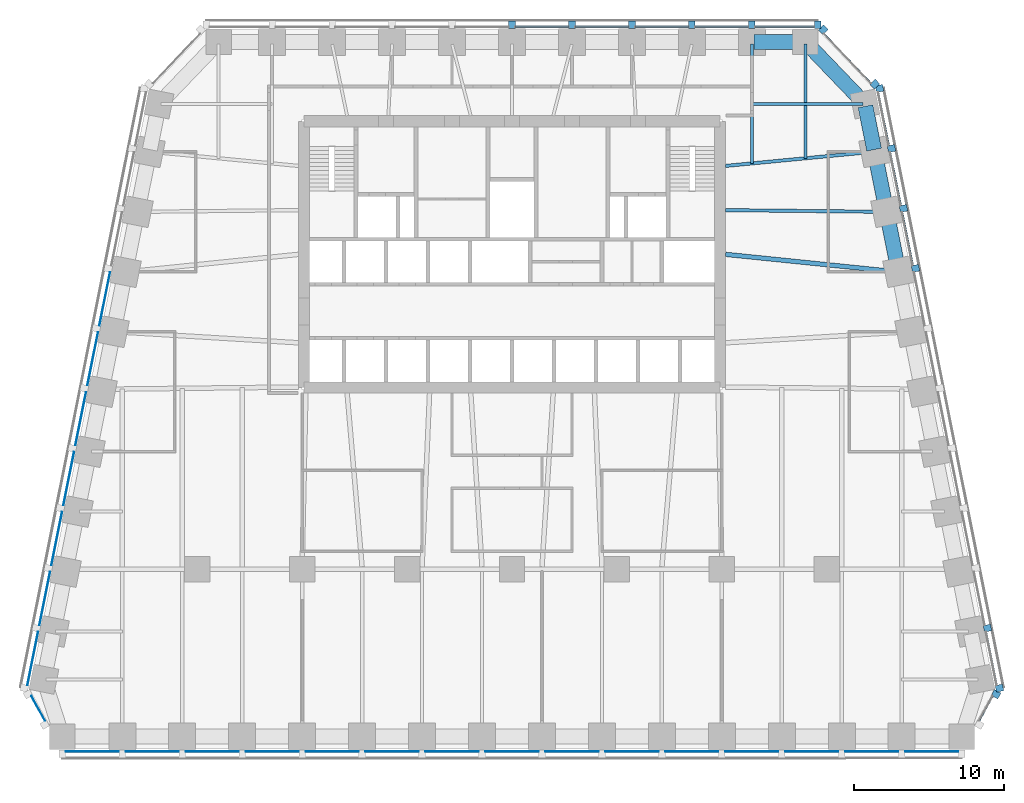
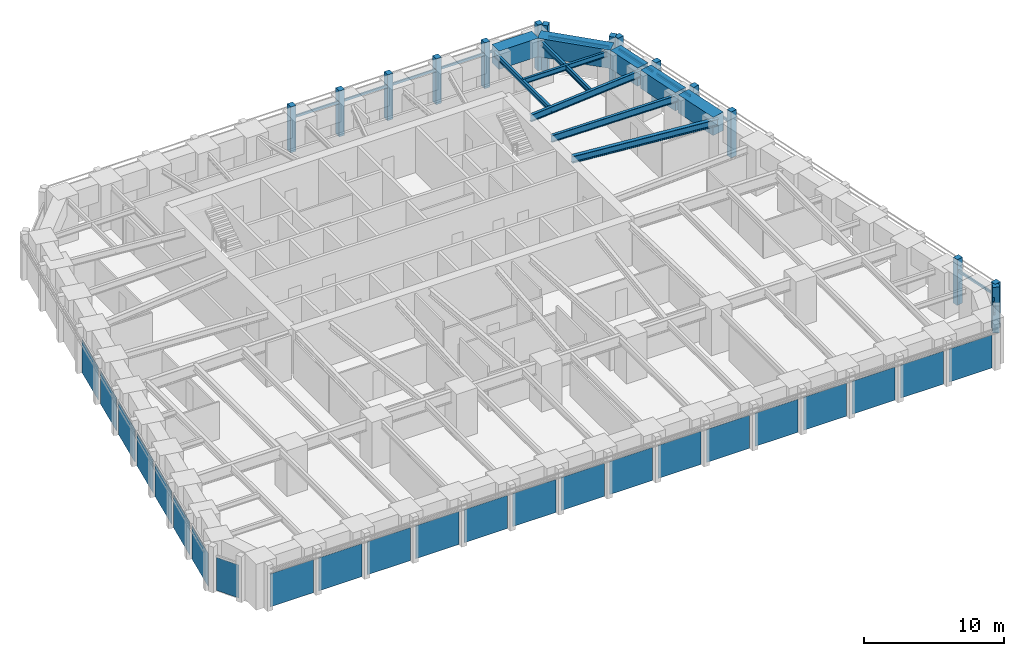
# One storey, part 4 of 10: 26 members, 23 plates, 11 beams, 7 elements without a shape of their own.
"""IFC4 building model written with IfcOpenShell, lengths in metres."""

from ifc_helpers import new_model, si_unit, direction, frame, origin, origin_2d, place, context, subcontext, project, spatial, rectangle, i_section, extrude, material, layer, layer_set, material_profile, profile_set, type_object, element, aggregate, save


model = new_model("IFC4")

# Units and contexts
model_context = context("Model", 3, precision=1e-05, world=origin(), true_north=direction((0.0, 1.0)))
body_context = subcontext(model_context, "Body", "Model", "MODEL_VIEW")
ifc_project = project(units=[si_unit("LENGTHUNIT", "METRE"), si_unit("AREAUNIT", "SQUARE_METRE"), si_unit("VOLUMEUNIT", "CUBIC_METRE"), si_unit("PLANEANGLEUNIT", "RADIAN"), si_unit("MASSUNIT", "GRAM", prefix="KILO")], contexts=[model_context])

# Site, building, storey
site_placement = place(None, origin())
site = spatial("IfcSite", under=ifc_project, at=site_placement, CompositionType="ELEMENT")
building_placement = place(site_placement, origin())
building = spatial("IfcBuilding", under=site, at=building_placement, Name="Isbrekke Arena Tower", CompositionType="ELEMENT")
storey_placement = place(building_placement, frame((0.0, 0.0, 139.0)))
storey = spatial("IfcBuildingStorey", under=building, at=storey_placement, Name="L31", CompositionType="ELEMENT", Elevation=139.0)

# Beams
ifc_material_1 = material(Name="Steel S355", Category="steel")
ifc_material_profile_1 = material_profile(ifc_material_1, i_section(OverallWidth=0.219970703125, OverallDepth=0.60009765625, WebThickness=0.011962890625, FlangeThickness=0.01904296875, FilletRadius=0.02392578125, at=origin_2d()), Name="IPE 600")
ifc_profile_set_1 = profile_set([ifc_material_profile_1], Name="Steel S355")
beam_type_1 = type_object("IfcBeamType", Name="B1 IPE 600", PredefinedType="BEAM", material=ifc_profile_set_1)
beam_1_placement = place(storey_placement, frame((24.83984375, 17.838134765625, 3.550048828125), z_axis=(-0.999944260169, 0.010558245831, 0.0), x_axis=(-0.010558245831, -0.999944260169, 0.0)))
element("IfcBeam", 1, at=beam_1_placement, inside=storey, type_object=beam_type_1, Name="B1 beam E-E09 L31", PredefinedType="BEAM", context=body_context, shape_type="SweptSolid", body=[
    extrude(i_section(OverallWidth=0.219970703125, OverallDepth=0.60009765625, WebThickness=0.011962890625, FlangeThickness=0.01904296875, FilletRadius=0.02392578125, at=origin_2d()), origin(), (0.0, 0.0, 1.0), 10.59033203125),
])
beam_2_placement = place(storey_placement, frame((24.030517578125, 21.837158203125, 3.550048828125), z_axis=(-0.995439798606, -0.095391862082, 0.0), x_axis=(0.095391862082, -0.995439798606, 0.0)))
element("IfcBeam", 2, at=beam_2_placement, inside=storey, type_object=beam_type_1, Name="B1 beam E-E10 L31", PredefinedType="BEAM", context=body_context, shape_type="SweptSolid", body=[
    extrude(i_section(OverallWidth=0.219970703125, OverallDepth=0.60009765625, WebThickness=0.011962890625, FlangeThickness=0.01904296875, FilletRadius=0.02392578125, at=origin_2d()), origin(), (0.0, 0.0, 1.0), 9.825439453125),
])
ifc_material_2 = material(Name="Steel S355", Category="steel")
ifc_material_profile_2 = material_profile(ifc_material_2, i_section(OverallWidth=0.18994140625, OverallDepth=0.449951171875, WebThickness=0.009521484375, FlangeThickness=0.0146484375, FilletRadius=0.02099609375, at=origin_2d()), Name="IPE 450")
ifc_profile_set_2 = profile_set([ifc_material_profile_2], Name="Steel S355")
beam_type_2 = type_object("IfcBeamType", Name="B2 IPE 450", PredefinedType="BEAM", material=ifc_profile_set_2)
beam_3_placement = place(storey_placement, frame((23.40283203125, 25.029296875, 3.625), z_axis=(-1.0, 0.0, 0.0), x_axis=(0.0, -1.0, 0.0)))
element("IfcBeam", 3, at=beam_3_placement, inside=storey, type_object=beam_type_2, Name="B2 beam E-E11 L31", PredefinedType="BEAM", context=body_context, shape_type="SweptSolid", body=[
    extrude(i_section(OverallWidth=0.18994140625, OverallDepth=0.449951171875, WebThickness=0.009521484375, FlangeThickness=0.0146484375, FilletRadius=0.02099609375, at=origin_2d()), origin(), (0.0, 0.0, 1.0), 7.40283203125),
])
ifc_material_3 = material(Name="Steel S355", Category="steel")
ifc_material_profile_3 = material_profile(ifc_material_3, i_section(OverallWidth=0.18994140625, OverallDepth=0.449951171875, WebThickness=0.009521484375, FlangeThickness=0.0146484375, FilletRadius=0.02099609375, at=origin_2d()), Name="IPE 450")
ifc_profile_set_3 = profile_set([ifc_material_profile_3], Name="Steel S355")
beam_type_3 = type_object("IfcBeamType", Name="B3 IPE 450", PredefinedType="BEAM", material=ifc_profile_set_3)
beam_4_placement = place(storey_placement, frame((19.574951171875, 29.02490234375, 3.625), z_axis=(0.0, -1.0, 0.0), x_axis=(1.0, 0.0, 0.0)))
element("IfcBeam", 4, at=beam_4_placement, inside=storey, type_object=beam_type_3, Name="B3 beam N-N01 L31", PredefinedType="BEAM", context=body_context, shape_type="SweptSolid", body=[
    extrude(i_section(OverallWidth=0.18994140625, OverallDepth=0.449951171875, WebThickness=0.009521484375, FlangeThickness=0.0146484375, FilletRadius=0.02099609375, at=origin_2d()), origin(), (0.0, 0.0, 1.0), 7.61474609375),
])
beam_5_placement = place(storey_placement, frame((16.0, 29.02490234375, 3.625), z_axis=(0.0, -1.0, 0.0), x_axis=(1.0, 0.0, 0.0)))
element("IfcBeam", 5, at=beam_5_placement, inside=storey, type_object=beam_type_3, Name="B3 beam N-N02 L31", PredefinedType="BEAM", context=body_context, shape_type="SweptSolid", body=[
    extrude(i_section(OverallWidth=0.18994140625, OverallDepth=0.449951171875, WebThickness=0.009521484375, FlangeThickness=0.0146484375, FilletRadius=0.02099609375, at=origin_2d()), origin(), (0.0, 0.0, 1.0), 7.957275390625),
])
ifc_material_4 = material(Name="Steel S355", Category="steel")
ifc_material_profile_4 = material_profile(ifc_material_4, i_section(OverallWidth=0.300048828125, OverallDepth=0.60009765625, WebThickness=0.015380859375, FlangeThickness=0.030029296875, FilletRadius=0.027099609375, at=origin_2d()), Name="HEB 600")
ifc_profile_set_4 = profile_set([ifc_material_profile_4], Name="Steel S355")
beam_type_4 = type_object("IfcBeamType", Name="B7 HEB 600", PredefinedType="BEAM", material=ifc_profile_set_4)
beam_6_placement = place(storey_placement, frame((25.6259765625, 13.83984375, 3.550048828125), z_axis=(-0.994839949319, 0.10145676537, 0.0), x_axis=(-0.10145676537, -0.994839949319, 0.0)))
element("IfcBeam", 6, at=beam_6_placement, inside=storey, type_object=beam_type_4, Name="B7 beam E-E08 L31", PredefinedType="BEAM", context=body_context, shape_type="SweptSolid", body=[
    extrude(i_section(OverallWidth=0.300048828125, OverallDepth=0.60009765625, WebThickness=0.015380859375, FlangeThickness=0.030029296875, FilletRadius=0.027099609375, at=origin_2d()), origin(), (0.0, 0.0, 1.0), 11.43505859375),
])

# Curtain wall, member
ifc_material_5 = material(Name="Glazed aluminium curtain wall", Category="aluminium")
curtain_wall_type = type_object("IfcCurtainWallType", Name="CWM TOWER CURTAIN WALL MID ZONE", PredefinedType="USERDEFINED", material=ifc_material_5)
curtain_wall_1_placement = place(storey_placement, origin())
curtain_wall_1 = element("IfcCurtainWall", 7, at=curtain_wall_1_placement, inside=storey, type_object=curtain_wall_type, Name="CWM curtain wall L31-SE", ObjectType="TOWER CURTAIN WALL MID ZONE", PredefinedType="USERDEFINED")
ifc_material_6 = material(Name="Aluminium mullion, pale brick slip cladding", Category="masonry")
ifc_material_profile_5 = material_profile(ifc_material_6, rectangle(XDim=0.449951171875, YDim=0.5, at=origin_2d()), Name="PIER 450X500")
ifc_profile_set_5 = profile_set([ifc_material_profile_5], Name="Aluminium mullion, pale brick slip cladding")
member_type_1 = type_object("IfcMemberType", Name="CWM-M PIER MULLION 450 x 500", PredefinedType="MULLION", material=ifc_profile_set_5)
member_1_placement = place(storey_placement, frame((32.296142578125, -14.34375, 0.0), z_axis=(0.0, 0.0, 1.0), x_axis=(0.481918749773, 0.876215908676, 0.0)))
member_1 = element("IfcMember", 8, at=member_1_placement, type_object=member_type_1, Name="CWM-M mullion 2", PredefinedType="MULLION", context=body_context, shape_type="SweptSolid", body=[
    extrude(rectangle(XDim=0.449951171875, YDim=0.5, at=origin_2d()), origin(), (0.0, 0.0, 1.0), 4.0),
])

# Curtain wall, members
curtain_wall_2_placement = place(storey_placement, origin())
curtain_wall_2 = element("IfcCurtainWall", 9, at=curtain_wall_2_placement, inside=storey, type_object=curtain_wall_type, Name="CWM curtain wall L31-E", ObjectType="TOWER CURTAIN WALL MID ZONE", PredefinedType="USERDEFINED")
member_2_placement = place(storey_placement, frame((32.518798828125, -13.936279296875, 0.0), z_axis=(0.0, 0.0, 1.0), x_axis=(-0.196116135138, 0.980580675691, 0.0)))
member_2 = element("IfcMember", 10, at=member_2_placement, type_object=member_type_1, Name="CWM-M mullion 1", PredefinedType="MULLION", context=body_context, shape_type="SweptSolid", body=[
    extrude(rectangle(XDim=0.449951171875, YDim=0.5, at=origin_2d()), origin(), (0.0, 0.0, 1.0), 4.0),
])
member_3_placement = place(storey_placement, frame((31.71875, -9.936279296875, 0.0), z_axis=(0.0, 0.0, 1.0), x_axis=(-0.196116135138, 0.980580675691, 0.0)))
member_3 = element("IfcMember", 11, at=member_3_placement, type_object=member_type_1, Name="CWM-M mullion 2", PredefinedType="MULLION", context=body_context, shape_type="SweptSolid", body=[
    extrude(rectangle(XDim=0.449951171875, YDim=0.5, at=origin_2d()), origin(), (0.0, 0.0, 1.0), 4.0),
])
member_4_placement = place(storey_placement, frame((26.918701171875, 14.063720703125, 0.0), z_axis=(0.0, 0.0, 1.0), x_axis=(-0.196116135138, 0.980580675691, 0.0)))
member_4 = element("IfcMember", 12, at=member_4_placement, type_object=member_type_1, Name="CWM-M mullion 8", PredefinedType="MULLION", context=body_context, shape_type="SweptSolid", body=[
    extrude(rectangle(XDim=0.449951171875, YDim=0.5, at=origin_2d()), origin(), (0.0, 0.0, 1.0), 4.0),
])
member_5_placement = place(storey_placement, frame((26.11865234375, 18.063720703125, 0.0), z_axis=(0.0, 0.0, 1.0), x_axis=(-0.196116135138, 0.980580675691, 0.0)))
member_5 = element("IfcMember", 13, at=member_5_placement, type_object=member_type_1, Name="CWM-M mullion 9", PredefinedType="MULLION", context=body_context, shape_type="SweptSolid", body=[
    extrude(rectangle(XDim=0.449951171875, YDim=0.5, at=origin_2d()), origin(), (0.0, 0.0, 1.0), 4.0),
])
member_6_placement = place(storey_placement, frame((25.318603515625, 22.063720703125, 0.0), z_axis=(0.0, 0.0, 1.0), x_axis=(-0.196116135138, 0.980580675691, 0.0)))
member_6 = element("IfcMember", 14, at=member_6_placement, type_object=member_type_1, Name="CWM-M mullion 10", PredefinedType="MULLION", context=body_context, shape_type="SweptSolid", body=[
    extrude(rectangle(XDim=0.449951171875, YDim=0.5, at=origin_2d()), origin(), (0.0, 0.0, 1.0), 4.0),
])
member_7_placement = place(storey_placement, frame((24.518798828125, 26.063720703125, 0.0), z_axis=(0.0, 0.0, 1.0), x_axis=(-0.196116135138, 0.980580675691, 0.0)))
member_7 = element("IfcMember", 15, at=member_7_placement, type_object=member_type_1, Name="CWM-M mullion 11", PredefinedType="MULLION", context=body_context, shape_type="SweptSolid", body=[
    extrude(rectangle(XDim=0.449951171875, YDim=0.5, at=origin_2d()), origin(), (0.0, 0.0, 1.0), 4.0),
])

curtain_wall_3_placement = place(storey_placement, origin())
curtain_wall_3 = element("IfcCurtainWall", 16, at=curtain_wall_3_placement, inside=storey, type_object=curtain_wall_type, Name="CWM curtain wall L31-EN", ObjectType="TOWER CURTAIN WALL MID ZONE", PredefinedType="USERDEFINED")
member_8_placement = place(storey_placement, frame((24.208251953125, 26.354248046875, 0.0), z_axis=(0.0, 0.0, 1.0), x_axis=(-0.68874946192, 0.72499943359, 0.0)))
member_8 = element("IfcMember", 17, at=member_8_placement, type_object=member_type_1, Name="CWM-M mullion 1", PredefinedType="MULLION", context=body_context, shape_type="SweptSolid", body=[
    extrude(rectangle(XDim=0.449951171875, YDim=0.5, at=origin_2d()), origin(), (0.0, 0.0, 1.0), 4.0),
])
member_9_placement = place(storey_placement, frame((20.7587890625, 29.9853515625, 0.0), z_axis=(0.0, 0.0, 1.0), x_axis=(-0.68874946192, 0.72499943359, 0.0)))
member_9 = element("IfcMember", 18, at=member_9_placement, type_object=member_type_1, Name="CWM-M mullion 2", PredefinedType="MULLION", context=body_context, shape_type="SweptSolid", body=[
    extrude(rectangle(XDim=0.449951171875, YDim=0.5, at=origin_2d()), origin(), (0.0, 0.0, 1.0), 4.0),
])

curtain_wall_4_placement = place(storey_placement, origin())
curtain_wall_4 = element("IfcCurtainWall", 19, at=curtain_wall_4_placement, inside=storey, type_object=curtain_wall_type, Name="CWM curtain wall L31-N", ObjectType="TOWER CURTAIN WALL MID ZONE", PredefinedType="USERDEFINED")
member_10_placement = place(storey_placement, frame((20.39990234375, 30.324951171875, 0.0), z_axis=(0.0, 0.0, 1.0), x_axis=(-1.0, 0.0, 0.0)))
member_10 = element("IfcMember", 20, at=member_10_placement, type_object=member_type_1, Name="CWM-M mullion 1", PredefinedType="MULLION", context=body_context, shape_type="SweptSolid", body=[
    extrude(rectangle(XDim=0.449951171875, YDim=0.5, at=origin_2d()), origin(), (0.0, 0.0, 1.0), 4.0),
])
member_11_placement = place(storey_placement, frame((16.0, 30.324951171875, 0.0), z_axis=(0.0, 0.0, 1.0), x_axis=(-1.0, 0.0, 0.0)))
member_11 = element("IfcMember", 21, at=member_11_placement, type_object=member_type_1, Name="CWM-M mullion 2", PredefinedType="MULLION", context=body_context, shape_type="SweptSolid", body=[
    extrude(rectangle(XDim=0.449951171875, YDim=0.5, at=origin_2d()), origin(), (0.0, 0.0, 1.0), 4.0),
])
member_12_placement = place(storey_placement, frame((12.0, 30.324951171875, 0.0), z_axis=(0.0, 0.0, 1.0), x_axis=(-1.0, 0.0, 0.0)))
member_12 = element("IfcMember", 22, at=member_12_placement, type_object=member_type_1, Name="CWM-M mullion 3", PredefinedType="MULLION", context=body_context, shape_type="SweptSolid", body=[
    extrude(rectangle(XDim=0.449951171875, YDim=0.5, at=origin_2d()), origin(), (0.0, 0.0, 1.0), 4.0),
])
member_13_placement = place(storey_placement, frame((8.0, 30.324951171875, 0.0), z_axis=(0.0, 0.0, 1.0), x_axis=(-1.0, 0.0, 0.0)))
member_13 = element("IfcMember", 23, at=member_13_placement, type_object=member_type_1, Name="CWM-M mullion 4", PredefinedType="MULLION", context=body_context, shape_type="SweptSolid", body=[
    extrude(rectangle(XDim=0.449951171875, YDim=0.5, at=origin_2d()), origin(), (0.0, 0.0, 1.0), 4.0),
])
member_14_placement = place(storey_placement, frame((4.0, 30.324951171875, 0.0), z_axis=(0.0, 0.0, 1.0), x_axis=(-1.0, 0.0, 0.0)))
member_14 = element("IfcMember", 24, at=member_14_placement, type_object=member_type_1, Name="CWM-M mullion 5", PredefinedType="MULLION", context=body_context, shape_type="SweptSolid", body=[
    extrude(rectangle(XDim=0.449951171875, YDim=0.5, at=origin_2d()), origin(), (0.0, 0.0, 1.0), 4.0),
])
member_15_placement = place(storey_placement, frame((0.0, 30.324951171875, 0.0), z_axis=(0.0, 0.0, 1.0), x_axis=(-1.0, 0.0, 0.0)))
member_15 = element("IfcMember", 25, at=member_15_placement, type_object=member_type_1, Name="CWM-M mullion 6", PredefinedType="MULLION", context=body_context, shape_type="SweptSolid", body=[
    extrude(rectangle(XDim=0.449951171875, YDim=0.5, at=origin_2d()), origin(), (0.0, 0.0, 1.0), 4.0),
])

# Member
ifc_material_7 = material(Name="Aluminium transom", Category="aluminium")
ifc_material_profile_6 = material_profile(ifc_material_7, rectangle(XDim=0.1201171875, YDim=0.199951171875, at=origin_2d()), Name="TRANSOM 120X200")
ifc_profile_set_6 = profile_set([ifc_material_profile_6], Name="Aluminium transom")
member_type_2 = type_object("IfcMemberType", Name="CWM-T TRANSOM 120 x 200", PredefinedType="USERDEFINED", material=ifc_profile_set_6)
member_16_placement = place(storey_placement, frame((31.152099609375, -16.112548828125, 3.0), z_axis=(0.482003669577, 0.876169197424, 0.0), x_axis=(-0.876169197424, 0.482003669577, 0.0)))
member_16 = element("IfcMember", 26, at=member_16_placement, type_object=member_type_2, Name="CWM-T transom 1", ObjectType="TRANSOM", PredefinedType="USERDEFINED", context=body_context, shape_type="SweptSolid", body=[
    extrude(rectangle(XDim=0.1201171875, YDim=0.199951171875, at=origin_2d()), origin(), (0.0, 0.0, 1.0), 1.876220703125),
])

aggregate(curtain_wall_1, [member_1, member_16])

member_17_placement = place(storey_placement, frame((32.327392578125, -13.7451171875, 3.0), z_axis=(-0.196090262229, 0.980585849918, 0.0), x_axis=(-0.980585849918, -0.196090262229, 0.0)))
member_17 = element("IfcMember", 27, at=member_17_placement, type_object=member_type_2, Name="CWM-T transom 1", ObjectType="TRANSOM", PredefinedType="USERDEFINED", context=body_context, shape_type="SweptSolid", body=[
    extrude(rectangle(XDim=0.1201171875, YDim=0.199951171875, at=origin_2d()), origin(), (0.0, 0.0, 1.0), 3.62939453125),
])

member_18_placement = place(storey_placement, frame((26.7275390625, 14.2548828125, 3.0), z_axis=(-0.196154943734, 0.980572913173, 0.0), x_axis=(-0.980572913173, -0.196154943734, 0.0)))
member_18 = element("IfcMember", 28, at=member_18_placement, type_object=member_type_2, Name="CWM-T transom 8", ObjectType="TRANSOM", PredefinedType="USERDEFINED", context=body_context, shape_type="SweptSolid", body=[
    extrude(rectangle(XDim=0.1201171875, YDim=0.199951171875, at=origin_2d()), origin(), (0.0, 0.0, 1.0), 3.62939453125),
])

member_19_placement = place(storey_placement, frame((25.927490234375, 18.2548828125, 3.0), z_axis=(-0.196090262229, 0.980585849918, 0.0), x_axis=(-0.980585849918, -0.196090262229, 0.0)))
member_19 = element("IfcMember", 29, at=member_19_placement, type_object=member_type_2, Name="CWM-T transom 9", ObjectType="TRANSOM", PredefinedType="USERDEFINED", context=body_context, shape_type="SweptSolid", body=[
    extrude(rectangle(XDim=0.1201171875, YDim=0.199951171875, at=origin_2d()), origin(), (0.0, 0.0, 1.0), 3.62939453125),
])

member_20_placement = place(storey_placement, frame((25.12744140625, 22.2548828125, 3.0), z_axis=(-0.196090262229, 0.980585849918, 0.0), x_axis=(-0.980585849918, -0.196090262229, 0.0)))
member_20 = element("IfcMember", 30, at=member_20_placement, type_object=member_type_2, Name="CWM-T transom 10", ObjectType="TRANSOM", PredefinedType="USERDEFINED", context=body_context, shape_type="SweptSolid", body=[
    extrude(rectangle(XDim=0.1201171875, YDim=0.199951171875, at=origin_2d()), origin(), (0.0, 0.0, 1.0), 3.62939453125),
])

aggregate(curtain_wall_2, [member_2, member_3, member_4, member_5, member_6, member_7, member_17, member_18, member_19, member_20])

member_21_placement = place(storey_placement, frame((23.944580078125, 26.4140625, 3.0), z_axis=(-0.688771983213, 0.724978037696, 0.0), x_axis=(-0.724978037696, -0.688771983213, 0.0)))
member_21 = element("IfcMember", 31, at=member_21_placement, type_object=member_type_2, Name="CWM-T transom 1", ObjectType="TRANSOM", PredefinedType="USERDEFINED", context=body_context, shape_type="SweptSolid", body=[
    extrude(rectangle(XDim=0.1201171875, YDim=0.199951171875, at=origin_2d()), origin(), (0.0, 0.0, 1.0), 4.558349609375),
])

aggregate(curtain_wall_3, [member_8, member_9, member_21])

member_22_placement = place(storey_placement, frame((20.175048828125, 30.175048828125, 3.0), z_axis=(-1.0, 0.0, 0.0), x_axis=(0.0, -1.0, 0.0)))
member_22 = element("IfcMember", 32, at=member_22_placement, type_object=member_type_2, Name="CWM-T transom 1", ObjectType="TRANSOM", PredefinedType="USERDEFINED", context=body_context, shape_type="SweptSolid", body=[
    extrude(rectangle(XDim=0.1201171875, YDim=0.199951171875, at=origin_2d()), origin(), (0.0, 0.0, 1.0), 3.949951171875),
])

member_23_placement = place(storey_placement, frame((15.77490234375, 30.175048828125, 3.0), z_axis=(-1.0, 0.0, 0.0), x_axis=(0.0, -1.0, 0.0)))
member_23 = element("IfcMember", 33, at=member_23_placement, type_object=member_type_2, Name="CWM-T transom 2", ObjectType="TRANSOM", PredefinedType="USERDEFINED", context=body_context, shape_type="SweptSolid", body=[
    extrude(rectangle(XDim=0.1201171875, YDim=0.199951171875, at=origin_2d()), origin(), (0.0, 0.0, 1.0), 3.5498046875),
])

member_24_placement = place(storey_placement, frame((11.77490234375, 30.175048828125, 3.0), z_axis=(-1.0, 0.0, 0.0), x_axis=(0.0, -1.0, 0.0)))
member_24 = element("IfcMember", 34, at=member_24_placement, type_object=member_type_2, Name="CWM-T transom 3", ObjectType="TRANSOM", PredefinedType="USERDEFINED", context=body_context, shape_type="SweptSolid", body=[
    extrude(rectangle(XDim=0.1201171875, YDim=0.199951171875, at=origin_2d()), origin(), (0.0, 0.0, 1.0), 3.5498046875),
])

member_25_placement = place(storey_placement, frame((7.77490234375, 30.175048828125, 3.0), z_axis=(-1.0, 0.0, 0.0), x_axis=(0.0, -1.0, 0.0)))
member_25 = element("IfcMember", 35, at=member_25_placement, type_object=member_type_2, Name="CWM-T transom 4", ObjectType="TRANSOM", PredefinedType="USERDEFINED", context=body_context, shape_type="SweptSolid", body=[
    extrude(rectangle(XDim=0.1201171875, YDim=0.199951171875, at=origin_2d()), origin(), (0.0, 0.0, 1.0), 3.5498046875),
])

member_26_placement = place(storey_placement, frame((3.77490234375, 30.175048828125, 3.0), z_axis=(-1.0, 0.0, 0.0), x_axis=(0.0, -1.0, 0.0)))
member_26 = element("IfcMember", 36, at=member_26_placement, type_object=member_type_2, Name="CWM-T transom 5", ObjectType="TRANSOM", PredefinedType="USERDEFINED", context=body_context, shape_type="SweptSolid", body=[
    extrude(rectangle(XDim=0.1201171875, YDim=0.199951171875, at=origin_2d()), origin(), (0.0, 0.0, 1.0), 3.5498046875),
])

aggregate(curtain_wall_4, [member_10, member_11, member_12, member_13, member_14, member_15, member_22, member_23, member_24, member_25, member_26])

# Beams
ifc_material_8 = material(Name="Concrete B80 (C80/95)", Category="concrete")
ifc_material_profile_7 = material_profile(ifc_material_8, rectangle(XDim=1.0, YDim=1.60009765625, at=origin_2d()), Name="RC 1000x1600")
ifc_profile_set_7 = profile_set([ifc_material_profile_7], Name="Concrete B80 (C80/95)")
beam_type_5 = type_object("IfcBeamType", Name="SB2 RC 1000 x 1600", PredefinedType="SPANDREL", material=ifc_profile_set_7)
for number, where, z_axis, x_axis, name in (
    (37, (25.76171875, 13.9853515625, 3.199951171875), (-0.196128558387, 0.980578190959, 0.0), (-0.980578190959, -0.196128558387, 0.0), "SB2 spandrel E08-E09 L31"),
    (38, (24.961669921875, 17.9853515625, 3.199951171875), (-0.196128558387, 0.980578190959, 0.0), (-0.980578190959, -0.196128558387, 0.0), "SB2 spandrel E09-E10 L31"),
):
    element("IfcBeam", number, at=place(storey_placement, frame(where, z_axis=z_axis, x_axis=x_axis)), inside=storey, type_object=beam_type_5, Name=name, PredefinedType="SPANDREL", context=body_context, shape_type="SweptSolid", body=[
        extrude(rectangle(XDim=1.0, YDim=1.60009765625, at=origin_2d()), origin(), (0.0, 0.0, 1.0), 3.779296875),
    ])
beam_7_placement = place(storey_placement, frame((24.16162109375, 21.9853515625, 3.199951171875), z_axis=(-0.196116135138, 0.980580675691, 0.0), x_axis=(-0.980580675691, -0.196116135138, 0.0)))
element("IfcBeam", 39, at=beam_7_placement, inside=storey, type_object=beam_type_5, Name="SB2 spandrel E10-E11 L31", PredefinedType="SPANDREL", context=body_context, shape_type="SweptSolid", body=[
    extrude(rectangle(XDim=1.0, YDim=1.60009765625, at=origin_2d()), origin(), (0.0, 0.0, 1.0), 2.9541015625),
])
beam_8_placement = place(storey_placement, frame((23.448974609375, 25.137451171875, 3.199951171875), z_axis=(-0.692339547635, 0.721571861134, 0.0), x_axis=(-0.721571861134, -0.692339547635, 0.0)))
element("IfcBeam", 40, at=beam_8_placement, inside=storey, type_object=beam_type_5, Name="SB2 spandrel E11-N01 L31", PredefinedType="SPANDREL", context=body_context, shape_type="SweptSolid", body=[
    extrude(rectangle(XDim=1.0, YDim=1.60009765625, at=origin_2d()), origin(), (0.0, 0.0, 1.0), 5.4453125),
])
beam_9_placement = place(storey_placement, frame((19.425048828125, 29.175048828125, 3.199951171875), z_axis=(-1.0, 0.0, 0.0), x_axis=(0.0, -1.0, 0.0)))
element("IfcBeam", 41, at=beam_9_placement, inside=storey, type_object=beam_type_5, Name="SB2 spandrel N01-N02 L31", PredefinedType="SPANDREL", context=body_context, shape_type="SweptSolid", body=[
    extrude(rectangle(XDim=1.0, YDim=1.60009765625, at=origin_2d()), origin(), (0.0, 0.0, 1.0), 3.275146484375),
])

# Curtain wall, plates
curtain_wall_5_placement = place(storey_placement, origin())
curtain_wall_5 = element("IfcCurtainWall", 42, at=curtain_wall_5_placement, inside=storey, type_object=curtain_wall_type, Name="CWM curtain wall L31-S", ObjectType="TOWER CURTAIN WALL MID ZONE", PredefinedType="USERDEFINED")
ifc_material_9 = material(Name="Triple-glazed clear glass unit", Category="glass")
ifc_layer = layer(ifc_material_9, 0.031982421875)
ifc_layer_set = layer_set([ifc_layer], Name="CWM-P VISION PANEL")
plate_type = type_object("IfcPlateType", Name="CWM-P VISION PANEL", PredefinedType="CURTAIN_PANEL", material=ifc_layer_set)
plate_1_placement = place(storey_placement, frame((-28.0, -18.175048828125, 0.02001953125), z_axis=(0.0, 0.0, 1.0), x_axis=(1.0, 0.0, 0.0)))
plate_1 = element("IfcPlate", 43, at=plate_1_placement, type_object=plate_type, Name="CWM-P panel 1", PredefinedType="CURTAIN_PANEL", context=body_context, shape_type="SweptSolid", body=[
    extrude(rectangle(XDim=3.550048828125, YDim=0.031982421875, at=origin_2d()), origin(), (0.0, 0.0, 1.0), 2.8798828125),
])
plate_2_placement = place(storey_placement, frame((-24.0, -18.175048828125, 0.02001953125), z_axis=(0.0, 0.0, 1.0), x_axis=(1.0, 0.0, 0.0)))
plate_2 = element("IfcPlate", 44, at=plate_2_placement, type_object=plate_type, Name="CWM-P panel 2", PredefinedType="CURTAIN_PANEL", context=body_context, shape_type="SweptSolid", body=[
    extrude(rectangle(XDim=3.550048828125, YDim=0.031982421875, at=origin_2d()), origin(), (0.0, 0.0, 1.0), 2.8798828125),
])
plate_3_placement = place(storey_placement, frame((-20.0, -18.175048828125, 0.02001953125), z_axis=(0.0, 0.0, 1.0), x_axis=(1.0, 0.0, 0.0)))
plate_3 = element("IfcPlate", 45, at=plate_3_placement, type_object=plate_type, Name="CWM-P panel 3", PredefinedType="CURTAIN_PANEL", context=body_context, shape_type="SweptSolid", body=[
    extrude(rectangle(XDim=3.550048828125, YDim=0.031982421875, at=origin_2d()), origin(), (0.0, 0.0, 1.0), 2.8798828125),
])
plate_4_placement = place(storey_placement, frame((-16.0, -18.175048828125, 0.02001953125), z_axis=(0.0, 0.0, 1.0), x_axis=(1.0, 0.0, 0.0)))
plate_4 = element("IfcPlate", 46, at=plate_4_placement, type_object=plate_type, Name="CWM-P panel 4", PredefinedType="CURTAIN_PANEL", context=body_context, shape_type="SweptSolid", body=[
    extrude(rectangle(XDim=3.550048828125, YDim=0.031982421875, at=origin_2d()), origin(), (0.0, 0.0, 1.0), 2.8798828125),
])
plate_5_placement = place(storey_placement, frame((-12.0, -18.175048828125, 0.02001953125), z_axis=(0.0, 0.0, 1.0), x_axis=(1.0, 0.0, 0.0)))
plate_5 = element("IfcPlate", 47, at=plate_5_placement, type_object=plate_type, Name="CWM-P panel 5", PredefinedType="CURTAIN_PANEL", context=body_context, shape_type="SweptSolid", body=[
    extrude(rectangle(XDim=3.550048828125, YDim=0.031982421875, at=origin_2d()), origin(), (0.0, 0.0, 1.0), 2.8798828125),
])
plate_6_placement = place(storey_placement, frame((-8.0, -18.175048828125, 0.02001953125), z_axis=(0.0, 0.0, 1.0), x_axis=(1.0, 0.0, 0.0)))
plate_6 = element("IfcPlate", 48, at=plate_6_placement, type_object=plate_type, Name="CWM-P panel 6", PredefinedType="CURTAIN_PANEL", context=body_context, shape_type="SweptSolid", body=[
    extrude(rectangle(XDim=3.550048828125, YDim=0.031982421875, at=origin_2d()), origin(), (0.0, 0.0, 1.0), 2.8798828125),
])
plate_7_placement = place(storey_placement, frame((-4.0, -18.175048828125, 0.02001953125), z_axis=(0.0, 0.0, 1.0), x_axis=(1.0, 0.0, 0.0)))
plate_7 = element("IfcPlate", 49, at=plate_7_placement, type_object=plate_type, Name="CWM-P panel 7", PredefinedType="CURTAIN_PANEL", context=body_context, shape_type="SweptSolid", body=[
    extrude(rectangle(XDim=3.550048828125, YDim=0.031982421875, at=origin_2d()), origin(), (0.0, 0.0, 1.0), 2.8798828125),
])
plate_8_placement = place(storey_placement, frame((0.0, -18.175048828125, 0.02001953125), z_axis=(0.0, 0.0, 1.0), x_axis=(1.0, 0.0, 0.0)))
plate_8 = element("IfcPlate", 50, at=plate_8_placement, type_object=plate_type, Name="CWM-P panel 8", PredefinedType="CURTAIN_PANEL", context=body_context, shape_type="SweptSolid", body=[
    extrude(rectangle(XDim=3.550048828125, YDim=0.031982421875, at=origin_2d()), origin(), (0.0, 0.0, 1.0), 2.8798828125),
])
plate_9_placement = place(storey_placement, frame((4.0, -18.175048828125, 0.02001953125), z_axis=(0.0, 0.0, 1.0), x_axis=(1.0, 0.0, 0.0)))
plate_9 = element("IfcPlate", 51, at=plate_9_placement, type_object=plate_type, Name="CWM-P panel 9", PredefinedType="CURTAIN_PANEL", context=body_context, shape_type="SweptSolid", body=[
    extrude(rectangle(XDim=3.550048828125, YDim=0.031982421875, at=origin_2d()), origin(), (0.0, 0.0, 1.0), 2.8798828125),
])
plate_10_placement = place(storey_placement, frame((8.0, -18.175048828125, 0.02001953125), z_axis=(0.0, 0.0, 1.0), x_axis=(1.0, 0.0, 0.0)))
plate_10 = element("IfcPlate", 52, at=plate_10_placement, type_object=plate_type, Name="CWM-P panel 10", PredefinedType="CURTAIN_PANEL", context=body_context, shape_type="SweptSolid", body=[
    extrude(rectangle(XDim=3.550048828125, YDim=0.031982421875, at=origin_2d()), origin(), (0.0, 0.0, 1.0), 2.8798828125),
])
plate_11_placement = place(storey_placement, frame((12.0, -18.175048828125, 0.02001953125), z_axis=(0.0, 0.0, 1.0), x_axis=(1.0, 0.0, 0.0)))
plate_11 = element("IfcPlate", 53, at=plate_11_placement, type_object=plate_type, Name="CWM-P panel 11", PredefinedType="CURTAIN_PANEL", context=body_context, shape_type="SweptSolid", body=[
    extrude(rectangle(XDim=3.550048828125, YDim=0.031982421875, at=origin_2d()), origin(), (0.0, 0.0, 1.0), 2.8798828125),
])
plate_12_placement = place(storey_placement, frame((16.0, -18.175048828125, 0.02001953125), z_axis=(0.0, 0.0, 1.0), x_axis=(1.0, 0.0, 0.0)))
plate_12 = element("IfcPlate", 54, at=plate_12_placement, type_object=plate_type, Name="CWM-P panel 12", PredefinedType="CURTAIN_PANEL", context=body_context, shape_type="SweptSolid", body=[
    extrude(rectangle(XDim=3.550048828125, YDim=0.031982421875, at=origin_2d()), origin(), (0.0, 0.0, 1.0), 2.8798828125),
])
plate_13_placement = place(storey_placement, frame((20.0, -18.175048828125, 0.02001953125), z_axis=(0.0, 0.0, 1.0), x_axis=(1.0, 0.0, 0.0)))
plate_13 = element("IfcPlate", 55, at=plate_13_placement, type_object=plate_type, Name="CWM-P panel 13", PredefinedType="CURTAIN_PANEL", context=body_context, shape_type="SweptSolid", body=[
    extrude(rectangle(XDim=3.550048828125, YDim=0.031982421875, at=origin_2d()), origin(), (0.0, 0.0, 1.0), 2.8798828125),
])
plate_14_placement = place(storey_placement, frame((24.0, -18.175048828125, 0.02001953125), z_axis=(0.0, 0.0, 1.0), x_axis=(1.0, 0.0, 0.0)))
plate_14 = element("IfcPlate", 56, at=plate_14_placement, type_object=plate_type, Name="CWM-P panel 14", PredefinedType="CURTAIN_PANEL", context=body_context, shape_type="SweptSolid", body=[
    extrude(rectangle(XDim=3.550048828125, YDim=0.031982421875, at=origin_2d()), origin(), (0.0, 0.0, 1.0), 2.8798828125),
])
plate_15_placement = place(storey_placement, frame((28.0, -18.175048828125, 0.02001953125), z_axis=(0.0, 0.0, 1.0), x_axis=(1.0, 0.0, 0.0)))
plate_15 = element("IfcPlate", 57, at=plate_15_placement, type_object=plate_type, Name="CWM-P panel 15", PredefinedType="CURTAIN_PANEL", context=body_context, shape_type="SweptSolid", body=[
    extrude(rectangle(XDim=3.550048828125, YDim=0.031982421875, at=origin_2d()), origin(), (0.0, 0.0, 1.0), 2.8798828125),
])
aggregate(curtain_wall_5, [plate_1, plate_2, plate_3, plate_4, plate_5, plate_6, plate_7, plate_8, plate_9, plate_10, plate_11, plate_12, plate_13, plate_14, plate_15])

curtain_wall_6_placement = place(storey_placement, origin())
curtain_wall_6 = element("IfcCurtainWall", 58, at=curtain_wall_6_placement, inside=storey, type_object=curtain_wall_type, Name="CWM curtain wall L31-W", ObjectType="TOWER CURTAIN WALL MID ZONE", PredefinedType="USERDEFINED")
plate_16_placement = place(storey_placement, frame((-27.171630859375, 12.034423828125, 0.02001953125), z_axis=(0.0, 0.0, 1.0), x_axis=(-0.196116135138, -0.980580675691, 0.0)))
plate_16 = element("IfcPlate", 59, at=plate_16_placement, type_object=plate_type, Name="CWM-P panel 4", PredefinedType="CURTAIN_PANEL", context=body_context, shape_type="SweptSolid", body=[
    extrude(rectangle(XDim=3.629150390625, YDim=0.031982421875, at=origin_2d()), origin(), (0.0, 0.0, 1.0), 2.8798828125),
])
plate_17_placement = place(storey_placement, frame((-27.9716796875, 8.034423828125, 0.02001953125), z_axis=(0.0, 0.0, 1.0), x_axis=(-0.196116135138, -0.980580675691, 0.0)))
plate_17 = element("IfcPlate", 60, at=plate_17_placement, type_object=plate_type, Name="CWM-P panel 5", PredefinedType="CURTAIN_PANEL", context=body_context, shape_type="SweptSolid", body=[
    extrude(rectangle(XDim=3.629150390625, YDim=0.031982421875, at=origin_2d()), origin(), (0.0, 0.0, 1.0), 2.8798828125),
])
plate_18_placement = place(storey_placement, frame((-28.771484375, 4.034423828125, 0.02001953125), z_axis=(0.0, 0.0, 1.0), x_axis=(-0.196116135138, -0.980580675691, 0.0)))
plate_18 = element("IfcPlate", 61, at=plate_18_placement, type_object=plate_type, Name="CWM-P panel 6", PredefinedType="CURTAIN_PANEL", context=body_context, shape_type="SweptSolid", body=[
    extrude(rectangle(XDim=3.629150390625, YDim=0.031982421875, at=origin_2d()), origin(), (0.0, 0.0, 1.0), 2.8798828125),
])
plate_19_placement = place(storey_placement, frame((-29.571533203125, 0.034423828125, 0.02001953125), z_axis=(0.0, 0.0, 1.0), x_axis=(-0.196116135138, -0.980580675691, 0.0)))
plate_19 = element("IfcPlate", 62, at=plate_19_placement, type_object=plate_type, Name="CWM-P panel 7", PredefinedType="CURTAIN_PANEL", context=body_context, shape_type="SweptSolid", body=[
    extrude(rectangle(XDim=3.629150390625, YDim=0.031982421875, at=origin_2d()), origin(), (0.0, 0.0, 1.0), 2.8798828125),
])
plate_20_placement = place(storey_placement, frame((-30.37158203125, -3.965576171875, 0.02001953125), z_axis=(0.0, 0.0, 1.0), x_axis=(-0.196116135138, -0.980580675691, 0.0)))
plate_20 = element("IfcPlate", 63, at=plate_20_placement, type_object=plate_type, Name="CWM-P panel 8", PredefinedType="CURTAIN_PANEL", context=body_context, shape_type="SweptSolid", body=[
    extrude(rectangle(XDim=3.629150390625, YDim=0.031982421875, at=origin_2d()), origin(), (0.0, 0.0, 1.0), 2.8798828125),
])
plate_21_placement = place(storey_placement, frame((-31.171630859375, -7.965576171875, 0.02001953125), z_axis=(0.0, 0.0, 1.0), x_axis=(-0.196116135138, -0.980580675691, 0.0)))
plate_21 = element("IfcPlate", 64, at=plate_21_placement, type_object=plate_type, Name="CWM-P panel 9", PredefinedType="CURTAIN_PANEL", context=body_context, shape_type="SweptSolid", body=[
    extrude(rectangle(XDim=3.629150390625, YDim=0.031982421875, at=origin_2d()), origin(), (0.0, 0.0, 1.0), 2.8798828125),
])
plate_22_placement = place(storey_placement, frame((-31.9716796875, -11.965576171875, 0.02001953125), z_axis=(0.0, 0.0, 1.0), x_axis=(-0.196116135138, -0.980580675691, 0.0)))
plate_22 = element("IfcPlate", 65, at=plate_22_placement, type_object=plate_type, Name="CWM-P panel 10", PredefinedType="CURTAIN_PANEL", context=body_context, shape_type="SweptSolid", body=[
    extrude(rectangle(XDim=3.629150390625, YDim=0.031982421875, at=origin_2d()), origin(), (0.0, 0.0, 1.0), 2.8798828125),
])
aggregate(curtain_wall_6, [plate_16, plate_17, plate_18, plate_19, plate_20, plate_21, plate_22])

# Curtain wall, plate
curtain_wall_7_placement = place(storey_placement, origin())
curtain_wall_7 = element("IfcCurtainWall", 66, at=curtain_wall_7_placement, inside=storey, type_object=curtain_wall_type, Name="CWM curtain wall L31-WS", ObjectType="TOWER CURTAIN WALL MID ZONE", PredefinedType="USERDEFINED")
plate_23_placement = place(storey_placement, frame((-31.60400390625, -15.291015625, 0.02001953125), z_axis=(0.0, 0.0, 1.0), x_axis=(0.481918749773, -0.876215908676, 0.0)))
plate_23 = element("IfcPlate", 67, at=plate_23_placement, type_object=plate_type, Name="CWM-P panel 1", PredefinedType="CURTAIN_PANEL", context=body_context, shape_type="SweptSolid", body=[
    extrude(rectangle(XDim=1.878173828125, YDim=0.031982421875, at=origin_2d()), origin(), (0.0, 0.0, 1.0), 2.8798828125),
])
aggregate(curtain_wall_7, [plate_23])

save(model, "model.ifc")
